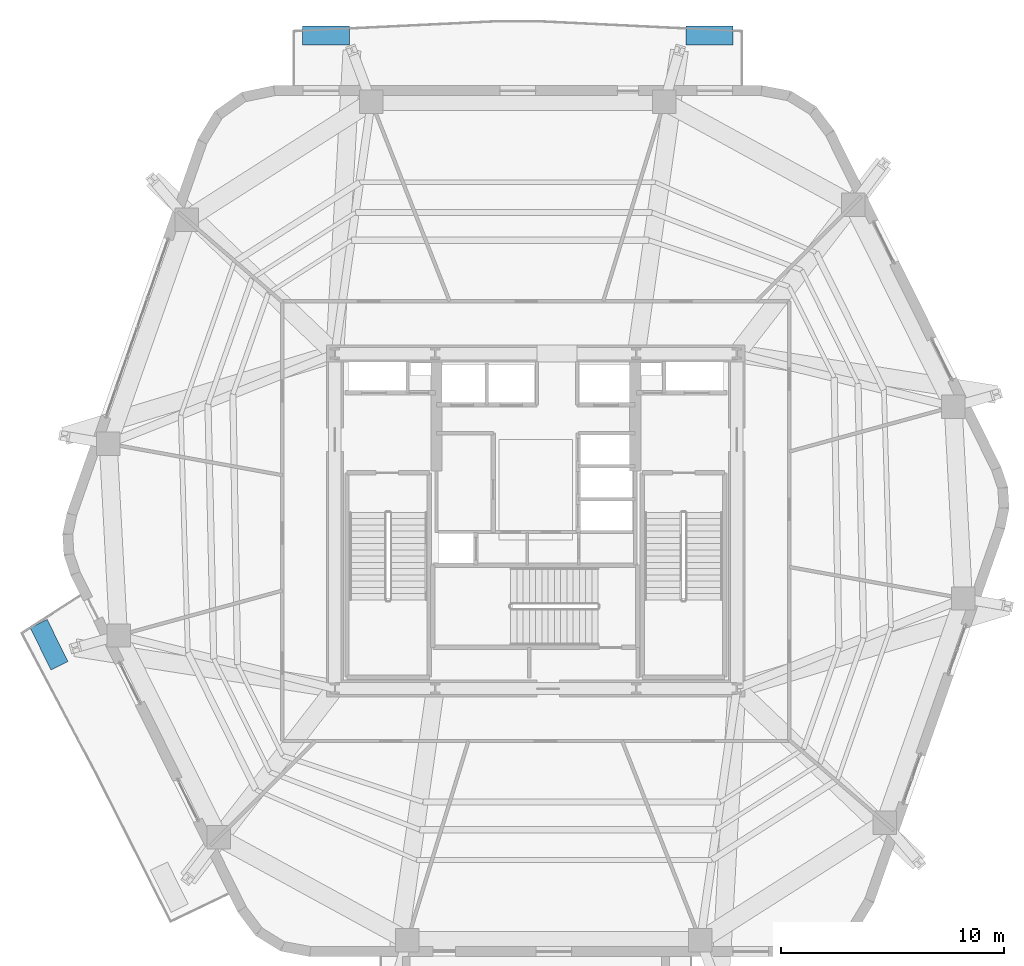
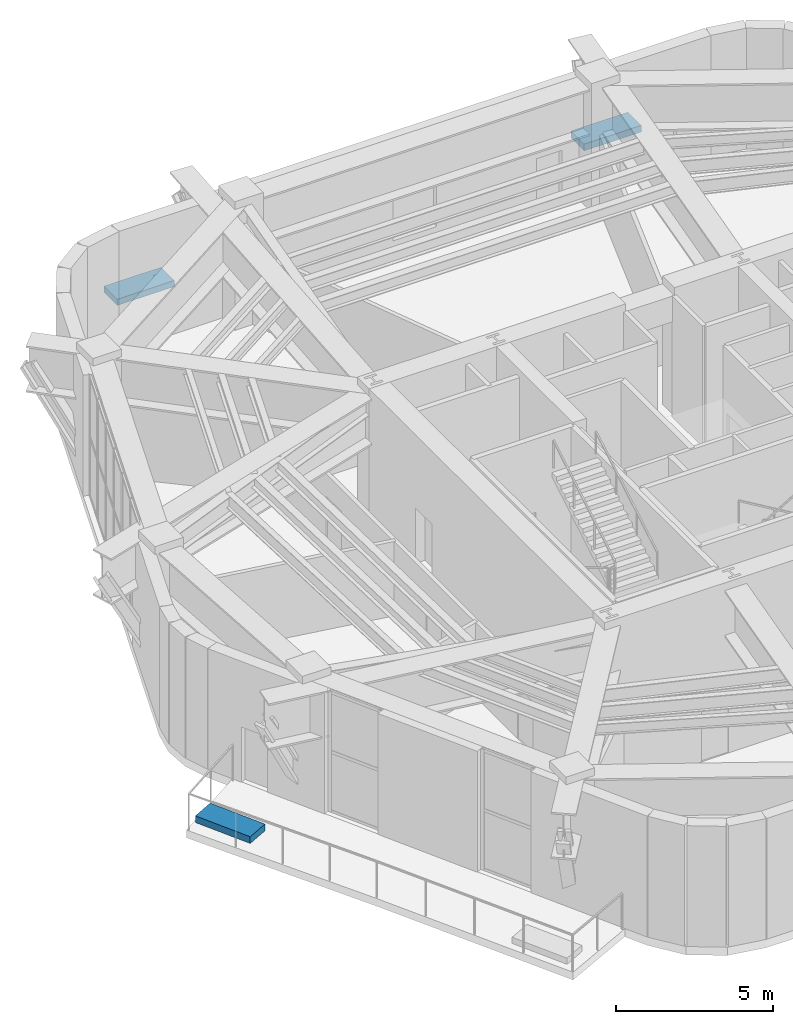
# One storey, part 16 of 18: 3 discrete accessories.
"""IFC4 building model written with IfcOpenShell, lengths in metres."""

from ifc_helpers import new_model, si_unit, direction, frame, origin, origin_2d, place, context, subcontext, project, spatial, rectangle, extrude, material, type_object, element, save


model = new_model("IFC4")

# Units and contexts
model_context = context("Model", 3, precision=1e-05, world=origin(), true_north=direction((0.0, 1.0)))
body_context = subcontext(model_context, "Body", "Model", "MODEL_VIEW")
ifc_project = project(units=[si_unit("LENGTHUNIT", "METRE"), si_unit("AREAUNIT", "SQUARE_METRE"), si_unit("VOLUMEUNIT", "CUBIC_METRE"), si_unit("PLANEANGLEUNIT", "RADIAN"), si_unit("MASSUNIT", "GRAM", prefix="KILO")], contexts=[model_context])

# Site, building, storey
site_placement = place(None, origin())
site = spatial("IfcSite", under=ifc_project, at=site_placement, CompositionType="ELEMENT")
building_placement = place(site_placement, origin())
building = spatial("IfcBuilding", under=site, at=building_placement, Name="Kilnhurst Terrace Hotel", CompositionType="ELEMENT")
storey_placement = place(building_placement, frame((0.0, 0.0, 201.5)))
storey = spatial("IfcBuildingStorey", under=building, at=storey_placement, Name="L50", CompositionType="ELEMENT", Elevation=201.5)

# Discrete accessories
ifc_material_1 = material(Name="Precast Concrete C40/50 Shrub Planter", Category="concrete")
discrete_accessory_type_1 = type_object("IfcDiscreteAccessoryType", Name="PLN-SHRUB-240", PredefinedType="USERDEFINED", material=ifc_material_1)
discrete_accessory_placement = place(storey_placement, frame((-9.3935546875, 21.75, 0.0), z_axis=(0.0, 0.0, 1.0), x_axis=(-1.0, 0.0, 0.0)))
element("IfcDiscreteAccessory", 1, at=discrete_accessory_placement, inside=storey, type_object=discrete_accessory_type_1, Name="L50 Structural Tree Planter Box PLANTER BAL-L1A.2", ObjectType="PLANTER", PredefinedType="USERDEFINED", context=body_context, shape_type="SweptSolid", body=[
    extrude(rectangle(XDim=2.10009765625, YDim=0.85009765625, at=origin_2d()), origin(), (0.0, 0.0, 1.0), 0.239990234375),
])
ifc_material_2 = material(Name="Precast Concrete C40/50 Tree Planter", Category="concrete")
discrete_accessory_type_2 = type_object("IfcDiscreteAccessoryType", Name="PLN-TREE-260", PredefinedType="USERDEFINED", material=ifc_material_2)
for number, where, z_axis, x_axis, name in (
    (2, (7.779296875, 21.75, 0.0), (0.0, 0.0, 1.0), (-1.0, 0.0, 0.0), "L50 Structural Tree Planter Box PLANTER BAL-L1A.1"),
    (3, (-21.79833984375, -5.535400390625, 0.0), (0.0, 0.0, 1.0), (0.444244308887, -0.895905683664, 0.0), "L50 Structural Tree Planter Box PLANTER BAL-L2A.1"),
):
    element("IfcDiscreteAccessory", number, at=place(storey_placement, frame(where, z_axis=z_axis, x_axis=x_axis)), inside=storey, type_object=discrete_accessory_type_2, Name=name, ObjectType="PLANTER", PredefinedType="USERDEFINED", context=body_context, shape_type="SweptSolid", body=[
        extrude(rectangle(XDim=2.10009765625, YDim=0.85009765625, at=origin_2d()), origin(), (0.0, 0.0, 1.0), 0.260009765625),
    ])

save(model, "model.ifc")
